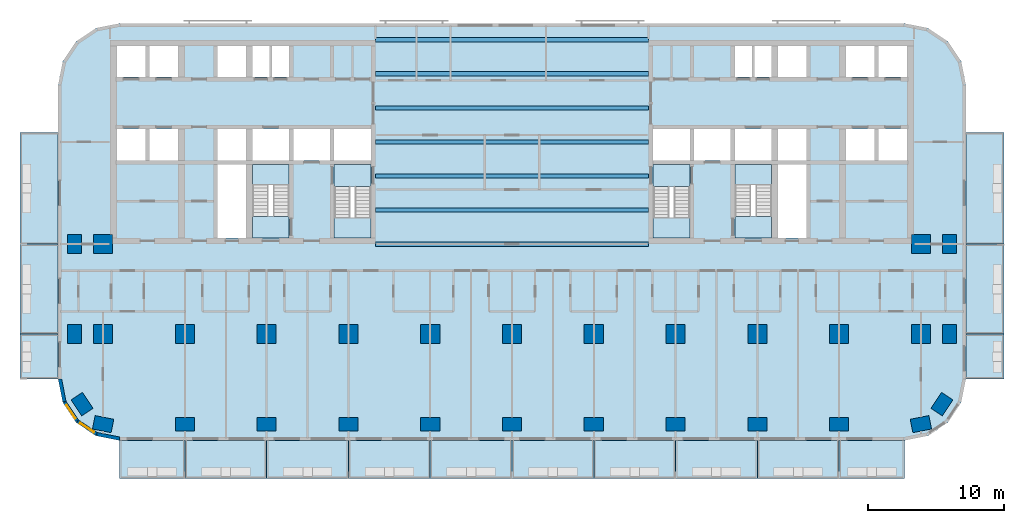
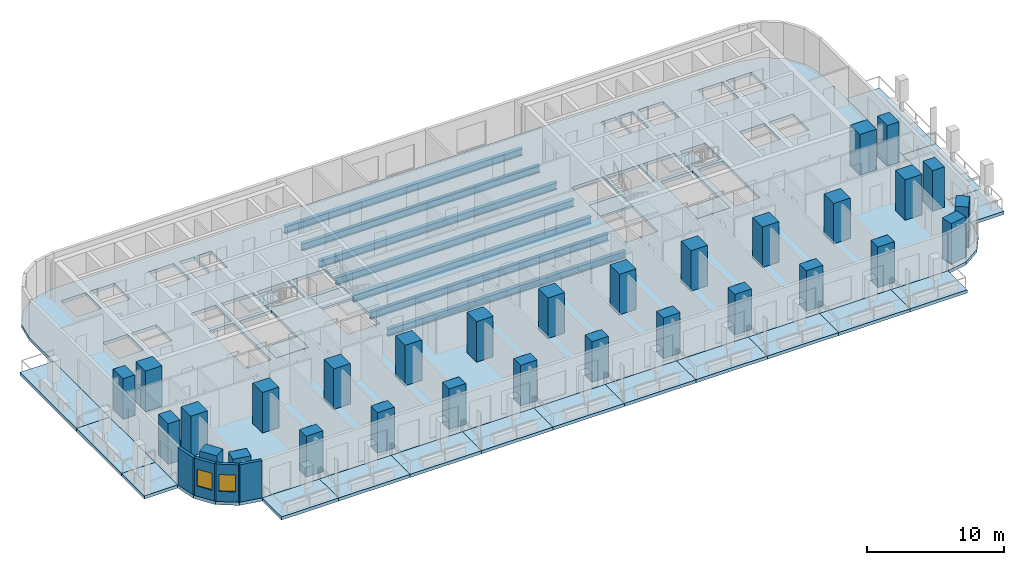
# One storey, part 1 of 15: 30 columns, 25 slabs, 7 beams, 4 walls, 2 windows, 2 openings, 4 elements without a shape of their own.
"""IFC4 building model written with IfcOpenShell, lengths in metres."""

from ifc_helpers import new_model, si_unit, direction, frame, frame_2d, origin, origin_2d, place, context, subcontext, project, spatial, polyline, rectangle, i_section, outline, extrude, material, layer, layer_set, material_profile, profile_set, type_object, element, fill, aggregate, save


model = new_model("IFC4")

# Units and contexts
model_context = context("Model", 3, precision=1e-05, world=origin(), true_north=direction((0.0, 1.0)))
body_context = subcontext(model_context, "Body", "Model", "MODEL_VIEW")
ifc_project = project(units=[si_unit("LENGTHUNIT", "METRE"), si_unit("AREAUNIT", "SQUARE_METRE"), si_unit("VOLUMEUNIT", "CUBIC_METRE"), si_unit("PLANEANGLEUNIT", "RADIAN"), si_unit("MASSUNIT", "GRAM", prefix="KILO")], contexts=[model_context])

# Site, building, storey
site_placement = place(None, origin())
site = spatial("IfcSite", under=ifc_project, at=site_placement, CompositionType="ELEMENT")
building_placement = place(site_placement, origin())
building = spatial("IfcBuilding", under=site, at=building_placement, Name="Torana Hotel and Residences", CompositionType="ELEMENT")
storey_placement = place(building_placement, frame((0.0, 0.0, 27.60009765625)))
storey = spatial("IfcBuildingStorey", under=building, at=storey_placement, Name="L05", CompositionType="ELEMENT", Elevation=27.60009765625)

# Columns
ifc_material_1 = material(Name="Concrete C70/85", Category="concrete")
ifc_material_profile_1 = material_profile(ifc_material_1, rectangle(XDim=1.39990234375, YDim=1.0, at=origin_2d()), Name="RC 1400x1000")
ifc_profile_set_1 = profile_set([ifc_material_profile_1], Name="Concrete C70/85")
column_type_1 = type_object("IfcColumnType", Name="COLUMN RC 1400x1000 C70/85", PredefinedType="COLUMN", material=ifc_profile_set_1)
for number, where, z_axis, x_axis, name in (
    (1, (-32.10009765625, -21.60009765625, 0.0), (0.0, 0.0, 1.0), (0.0, 1.0, 0.0), "Column L05"),
    (2, (-32.10009765625, -15.0, 0.0), (0.0, 0.0, 1.0), (0.0, 1.0, 0.0), "Column L05"),
    (3, (-31.5439453125, -26.73291015625, 0.0), (0.0, 0.0, 1.0), (-0.555584744817, 0.831459915646, 0.0), "Column L05"),
    (4, (-30.0, -28.199951171875, 0.0), (0.0, 0.0, 1.0), (-0.980792089743, 0.195056086032, 0.0), "Column L05"),
    (5, (-24.0, -28.199951171875, 0.0), (0.0, 0.0, 1.0), (1.0, 0.0, 0.0), "Column L05"),
    (6, (-18.0, -28.199951171875, 0.0), (0.0, 0.0, 1.0), (1.0, 0.0, 0.0), "Column L05"),
    (7, (-12.0, -28.199951171875, 0.0), (0.0, 0.0, 1.0), (1.0, 0.0, 0.0), "Column L05"),
    (8, (-6.0, -28.199951171875, 0.0), (0.0, 0.0, 1.0), (1.0, 0.0, 0.0), "Column L05"),
    (9, (0.0, -28.199951171875, 0.0), (0.0, 0.0, 1.0), (1.0, 0.0, 0.0), "Column L05"),
    (10, (6.0, -28.199951171875, 0.0), (0.0, 0.0, 1.0), (1.0, 0.0, 0.0), "Column L05"),
    (11, (12.0, -28.199951171875, 0.0), (0.0, 0.0, 1.0), (1.0, 0.0, 0.0), "Column L05"),
    (12, (18.0, -28.199951171875, 0.0), (0.0, 0.0, 1.0), (1.0, 0.0, 0.0), "Column L05"),
    (13, (24.0, -28.199951171875, 0.0), (0.0, 0.0, 1.0), (1.0, 0.0, 0.0), "Column L05"),
    (14, (30.0, -28.199951171875, 0.0), (0.0, 0.0, 1.0), (0.980792089743, 0.195056086032, 0.0), "Column L05"),
    (15, (31.5439453125, -26.73291015625, 0.0), (0.0, 0.0, 1.0), (0.555584744817, 0.831459915646, 0.0), "Column L05"),
    (16, (32.10009765625, -21.60009765625, 0.0), (0.0, 0.0, 1.0), (0.0, 1.0, 0.0), "Column L05"),
    (17, (32.10009765625, -15.0, 0.0), (0.0, 0.0, 1.0), (0.0, 1.0, 0.0), "Column L05"),
):
    element("IfcColumn", number, at=place(storey_placement, frame(where, z_axis=z_axis, x_axis=x_axis)), inside=storey, type_object=column_type_1, Name=name, PredefinedType="COLUMN", context=body_context, shape_type="SweptSolid", body=[
        extrude(rectangle(XDim=1.39990234375, YDim=1.0, at=origin_2d()), origin(), (0.0, 0.0, 1.0), 3.599853515625),
    ])
ifc_material_2 = material(Name="Concrete C70/85", Category="concrete")
ifc_material_profile_2 = material_profile(ifc_material_2, rectangle(XDim=1.39990234375, YDim=1.39990234375, at=origin_2d()), Name="RC 1400x1400")
ifc_profile_set_2 = profile_set([ifc_material_profile_2], Name="Concrete C70/85")
column_type_2 = type_object("IfcColumnType", Name="COLUMN RC 1400x1400 C70/85", PredefinedType="COLUMN", material=ifc_profile_set_2)
for number, where, z_axis, x_axis, name in (
    (18, (-30.0, -21.60009765625, 0.0), (0.0, 0.0, 1.0), (1.0, 0.0, 0.0), "Column L05"),
    (19, (-30.0, -15.0, 0.0), (0.0, 0.0, 1.0), (1.0, 0.0, 0.0), "Column L05"),
    (20, (-24.0, -21.60009765625, 0.0), (0.0, 0.0, 1.0), (1.0, 0.0, 0.0), "Column L05"),
    (21, (-18.0, -21.60009765625, 0.0), (0.0, 0.0, 1.0), (1.0, 0.0, 0.0), "Column L05"),
    (22, (-12.0, -21.60009765625, 0.0), (0.0, 0.0, 1.0), (1.0, 0.0, 0.0), "Column L05"),
    (23, (-6.0, -21.60009765625, 0.0), (0.0, 0.0, 1.0), (1.0, 0.0, 0.0), "Column L05"),
    (24, (0.0, -21.60009765625, 0.0), (0.0, 0.0, 1.0), (1.0, 0.0, 0.0), "Column L05"),
    (25, (6.0, -21.60009765625, 0.0), (0.0, 0.0, 1.0), (1.0, 0.0, 0.0), "Column L05"),
    (26, (12.0, -21.60009765625, 0.0), (0.0, 0.0, 1.0), (1.0, 0.0, 0.0), "Column L05"),
    (27, (18.0, -21.60009765625, 0.0), (0.0, 0.0, 1.0), (1.0, 0.0, 0.0), "Column L05"),
    (28, (24.0, -21.60009765625, 0.0), (0.0, 0.0, 1.0), (1.0, 0.0, 0.0), "Column L05"),
    (29, (30.0, -21.60009765625, 0.0), (0.0, 0.0, 1.0), (1.0, 0.0, 0.0), "Column L05"),
    (30, (30.0, -15.0, 0.0), (0.0, 0.0, 1.0), (1.0, 0.0, 0.0), "Column L05"),
):
    element("IfcColumn", number, at=place(storey_placement, frame(where, z_axis=z_axis, x_axis=x_axis)), inside=storey, type_object=column_type_2, Name=name, PredefinedType="COLUMN", context=body_context, shape_type="SweptSolid", body=[
        extrude(rectangle(XDim=1.39990234375, YDim=1.39990234375, at=origin_2d()), origin(), (0.0, 0.0, 1.0), 3.599853515625),
    ])

# Beams
ifc_material_3 = material(Name="Steel S355", Category="steel")
ifc_material_profile_3 = material_profile(ifc_material_3, i_section(OverallWidth=0.311279296875, OverallDepth=0.6357421875, WebThickness=0.018310546875, FlangeThickness=0.031494140625, FilletRadius=0.0166015625, at=origin_2d()), Name="610x305x238 UB")
ifc_profile_set_3 = profile_set([ifc_material_profile_3], Name="Steel S355")
beam_type = type_object("IfcBeamType", Name="STEEL GIRDER 610x305x238 UB", PredefinedType="BEAM", material=ifc_profile_set_3)
for number, where, z_axis, x_axis, name in (
    (31, (-10.0, -15.0, -0.597900390625), (1.0, 0.0, 0.0), (0.0, 1.0, 0.0), "Floor girder"),
    (32, (-10.0, -12.5, -0.597900390625), (1.0, 0.0, 0.0), (0.0, 1.0, 0.0), "Floor girder"),
    (33, (-10.0, -10.0, -0.597900390625), (1.0, 0.0, 0.0), (0.0, 1.0, 0.0), "Floor girder"),
    (34, (-10.0, -7.5, -0.597900390625), (1.0, 0.0, 0.0), (0.0, 1.0, 0.0), "Floor girder"),
    (35, (-10.0, -5.0, -0.597900390625), (1.0, 0.0, 0.0), (0.0, 1.0, 0.0), "Floor girder"),
    (36, (-10.0, -2.5, -0.597900390625), (1.0, 0.0, 0.0), (0.0, 1.0, 0.0), "Floor girder"),
    (37, (-10.0, 0.0, -0.597900390625), (1.0, 0.0, 0.0), (0.0, 1.0, 0.0), "Floor girder"),
):
    element("IfcBeam", number, at=place(storey_placement, frame(where, z_axis=z_axis, x_axis=x_axis)), inside=storey, type_object=beam_type, Name=name, PredefinedType="BEAM", context=body_context, shape_type="SweptSolid", body=[
        extrude(i_section(OverallWidth=0.311279296875, OverallDepth=0.6357421875, WebThickness=0.018310546875, FlangeThickness=0.031494140625, FilletRadius=0.0166015625, at=origin_2d()), origin(), (0.0, 0.0, 1.0), 20.0),
    ])

# Slabs
ifc_material_4 = material(Name="Concrete C40/50", Category="concrete")
ifc_layer_1 = layer(ifc_material_4, 0.280029296875)
ifc_layer_set_1 = layer_set([ifc_layer_1], Name="BAL1 BALCONY SLAB 280")
slab_type_1 = type_object("IfcSlabType", Name="BAL1 BALCONY SLAB 280", PredefinedType="USERDEFINED", material=ifc_layer_set_1)
slab_1_placement = place(storey_placement, frame((0.0, 0.0, -0.280029296875)))
element("IfcSlab", 38, at=slab_1_placement, inside=storey, type_object=slab_type_1, Name="Balcony 01", ObjectType="BALCONY", PredefinedType="USERDEFINED", context=body_context, shape_type="SweptSolid", body=[
    extrude(outline(polyline([(-28.800048828125, -32.199951171875), (-24.0, -32.199951171875), (-24.0, -29.39990234375), (-28.800048828125, -29.39990234375), (-28.800048828125, -32.199951171875)])), origin(), (0.0, 0.0, 1.0), 0.280029296875),
])
slab_2_placement = place(storey_placement, frame((0.0, 0.0, -0.280029296875)))
element("IfcSlab", 39, at=slab_2_placement, inside=storey, type_object=slab_type_1, Name="Balcony 02", ObjectType="BALCONY", PredefinedType="USERDEFINED", context=body_context, shape_type="SweptSolid", body=[
    extrude(outline(polyline([(-24.0, -32.199951171875), (-18.0, -32.199951171875), (-18.0, -29.39990234375), (-24.0, -29.39990234375), (-24.0, -32.199951171875)])), origin(), (0.0, 0.0, 1.0), 0.280029296875),
])
slab_3_placement = place(storey_placement, frame((0.0, 0.0, -0.280029296875)))
element("IfcSlab", 40, at=slab_3_placement, inside=storey, type_object=slab_type_1, Name="Balcony 03", ObjectType="BALCONY", PredefinedType="USERDEFINED", context=body_context, shape_type="SweptSolid", body=[
    extrude(outline(polyline([(-18.0, -32.199951171875), (-12.0, -32.199951171875), (-12.0, -29.39990234375), (-18.0, -29.39990234375), (-18.0, -32.199951171875)])), origin(), (0.0, 0.0, 1.0), 0.280029296875),
])
slab_4_placement = place(storey_placement, frame((0.0, 0.0, -0.280029296875)))
element("IfcSlab", 41, at=slab_4_placement, inside=storey, type_object=slab_type_1, Name="Balcony 04", ObjectType="BALCONY", PredefinedType="USERDEFINED", context=body_context, shape_type="SweptSolid", body=[
    extrude(outline(polyline([(-12.0, -32.199951171875), (-6.0, -32.199951171875), (-6.0, -29.39990234375), (-12.0, -29.39990234375), (-12.0, -32.199951171875)])), origin(), (0.0, 0.0, 1.0), 0.280029296875),
])
slab_5_placement = place(storey_placement, frame((0.0, 0.0, -0.280029296875)))
element("IfcSlab", 42, at=slab_5_placement, inside=storey, type_object=slab_type_1, Name="Balcony 05", ObjectType="BALCONY", PredefinedType="USERDEFINED", context=body_context, shape_type="SweptSolid", body=[
    extrude(outline(polyline([(-6.0, -32.199951171875), (0.0, -32.199951171875), (0.0, -29.39990234375), (-6.0, -29.39990234375), (-6.0, -32.199951171875)])), origin(), (0.0, 0.0, 1.0), 0.280029296875),
])
slab_6_placement = place(storey_placement, frame((0.0, 0.0, -0.280029296875)))
element("IfcSlab", 43, at=slab_6_placement, inside=storey, type_object=slab_type_1, Name="Balcony 06", ObjectType="BALCONY", PredefinedType="USERDEFINED", context=body_context, shape_type="SweptSolid", body=[
    extrude(outline(polyline([(0.0, -32.199951171875), (6.0, -32.199951171875), (6.0, -29.39990234375), (0.0, -29.39990234375), (0.0, -32.199951171875)])), origin(), (0.0, 0.0, 1.0), 0.280029296875),
])
slab_7_placement = place(storey_placement, frame((0.0, 0.0, -0.280029296875)))
element("IfcSlab", 44, at=slab_7_placement, inside=storey, type_object=slab_type_1, Name="Balcony 07", ObjectType="BALCONY", PredefinedType="USERDEFINED", context=body_context, shape_type="SweptSolid", body=[
    extrude(outline(polyline([(6.0, -32.199951171875), (12.0, -32.199951171875), (12.0, -29.39990234375), (6.0, -29.39990234375), (6.0, -32.199951171875)])), origin(), (0.0, 0.0, 1.0), 0.280029296875),
])
slab_8_placement = place(storey_placement, frame((0.0, 0.0, -0.280029296875)))
element("IfcSlab", 45, at=slab_8_placement, inside=storey, type_object=slab_type_1, Name="Balcony 08", ObjectType="BALCONY", PredefinedType="USERDEFINED", context=body_context, shape_type="SweptSolid", body=[
    extrude(outline(polyline([(12.0, -32.199951171875), (18.0, -32.199951171875), (18.0, -29.39990234375), (12.0, -29.39990234375), (12.0, -32.199951171875)])), origin(), (0.0, 0.0, 1.0), 0.280029296875),
])
slab_9_placement = place(storey_placement, frame((0.0, 0.0, -0.280029296875)))
element("IfcSlab", 46, at=slab_9_placement, inside=storey, type_object=slab_type_1, Name="Balcony 09", ObjectType="BALCONY", PredefinedType="USERDEFINED", context=body_context, shape_type="SweptSolid", body=[
    extrude(outline(polyline([(18.0, -32.199951171875), (24.0, -32.199951171875), (24.0, -29.39990234375), (18.0, -29.39990234375), (18.0, -32.199951171875)])), origin(), (0.0, 0.0, 1.0), 0.280029296875),
])
slab_10_placement = place(storey_placement, frame((0.0, 0.0, -0.280029296875)))
element("IfcSlab", 47, at=slab_10_placement, inside=storey, type_object=slab_type_1, Name="Balcony 10", ObjectType="BALCONY", PredefinedType="USERDEFINED", context=body_context, shape_type="SweptSolid", body=[
    extrude(outline(polyline([(24.0, -32.199951171875), (28.800048828125, -32.199951171875), (28.800048828125, -29.39990234375), (24.0, -29.39990234375), (24.0, -32.199951171875)])), origin(), (0.0, 0.0, 1.0), 0.280029296875),
])
slab_11_placement = place(storey_placement, frame((0.0, 0.0, -0.280029296875)))
element("IfcSlab", 48, at=slab_11_placement, inside=storey, type_object=slab_type_1, Name="Balcony 11", ObjectType="BALCONY", PredefinedType="USERDEFINED", context=body_context, shape_type="SweptSolid", body=[
    extrude(outline(polyline([(-36.10009765625, -24.89990234375), (-33.300048828125, -24.89990234375), (-33.300048828125, -21.60009765625), (-36.10009765625, -21.60009765625), (-36.10009765625, -24.89990234375)])), origin(), (0.0, 0.0, 1.0), 0.280029296875),
])
slab_12_placement = place(storey_placement, frame((0.0, 0.0, -0.280029296875)))
element("IfcSlab", 49, at=slab_12_placement, inside=storey, type_object=slab_type_1, Name="Balcony 12", ObjectType="BALCONY", PredefinedType="USERDEFINED", context=body_context, shape_type="SweptSolid", body=[
    extrude(outline(polyline([(-36.10009765625, -21.60009765625), (-33.300048828125, -21.60009765625), (-33.300048828125, -15.0), (-36.10009765625, -15.0), (-36.10009765625, -21.60009765625)])), origin(), (0.0, 0.0, 1.0), 0.280029296875),
])
slab_13_placement = place(storey_placement, frame((0.0, 0.0, -0.280029296875)))
element("IfcSlab", 50, at=slab_13_placement, inside=storey, type_object=slab_type_1, Name="Balcony 13", ObjectType="BALCONY", PredefinedType="USERDEFINED", context=body_context, shape_type="SweptSolid", body=[
    extrude(outline(polyline([(-36.10009765625, -15.0), (-33.300048828125, -15.0), (-33.300048828125, -6.800048828125), (-36.10009765625, -6.800048828125), (-36.10009765625, -15.0)])), origin(), (0.0, 0.0, 1.0), 0.280029296875),
])
slab_14_placement = place(storey_placement, frame((0.0, 0.0, -0.280029296875)))
element("IfcSlab", 51, at=slab_14_placement, inside=storey, type_object=slab_type_1, Name="Balcony 14", ObjectType="BALCONY", PredefinedType="USERDEFINED", context=body_context, shape_type="SweptSolid", body=[
    extrude(outline(polyline([(33.300048828125, -24.89990234375), (36.10009765625, -24.89990234375), (36.10009765625, -21.60009765625), (33.300048828125, -21.60009765625), (33.300048828125, -24.89990234375)])), origin(), (0.0, 0.0, 1.0), 0.280029296875),
])
slab_15_placement = place(storey_placement, frame((0.0, 0.0, -0.280029296875)))
element("IfcSlab", 52, at=slab_15_placement, inside=storey, type_object=slab_type_1, Name="Balcony 15", ObjectType="BALCONY", PredefinedType="USERDEFINED", context=body_context, shape_type="SweptSolid", body=[
    extrude(outline(polyline([(33.300048828125, -21.60009765625), (36.10009765625, -21.60009765625), (36.10009765625, -15.0), (33.300048828125, -15.0), (33.300048828125, -21.60009765625)])), origin(), (0.0, 0.0, 1.0), 0.280029296875),
])
slab_16_placement = place(storey_placement, frame((0.0, 0.0, -0.280029296875)))
element("IfcSlab", 53, at=slab_16_placement, inside=storey, type_object=slab_type_1, Name="Balcony 16", ObjectType="BALCONY", PredefinedType="USERDEFINED", context=body_context, shape_type="SweptSolid", body=[
    extrude(outline(polyline([(33.300048828125, -15.0), (36.10009765625, -15.0), (36.10009765625, -6.800048828125), (33.300048828125, -6.800048828125), (33.300048828125, -15.0)])), origin(), (0.0, 0.0, 1.0), 0.280029296875),
])
ifc_material_5 = material(Name="Concrete C40/50", Category="concrete")
ifc_layer_2 = layer(ifc_material_5, 0.280029296875)
ifc_layer_set_2 = layer_set([ifc_layer_2], Name="FLOOR SLAB PT 280")
slab_type_2 = type_object("IfcSlabType", Name="FLOOR SLAB PT 280", PredefinedType="FLOOR", material=ifc_layer_set_2)
slab_17_placement = place(storey_placement, frame((0.0, 0.0, -0.280029296875)))
element("IfcSlab", 54, at=slab_17_placement, inside=storey, type_object=slab_type_2, Name="Floor slab", PredefinedType="FLOOR", context=body_context, shape_type="SweptSolid", body=[
    extrude(outline(polyline([(33.300048828125, -3.300048828125), (32.95751953125, -1.577880859375), (31.98193359375, -0.117919921875), (30.522216796875, 0.857421875), (28.800048828125, 1.199951171875), (-28.800048828125, 1.199951171875), (-30.522216796875, 0.857421875), (-31.98193359375, -0.117919921875), (-32.95751953125, -1.577880859375), (-33.300048828125, -3.300048828125), (-33.300048828125, -24.89990234375), (-32.95751953125, -26.6220703125), (-31.98193359375, -28.08203125), (-30.522216796875, -29.0576171875), (-28.800048828125, -29.39990234375), (28.800048828125, -29.39990234375), (30.522216796875, -29.0576171875), (31.98193359375, -28.08203125), (32.95751953125, -26.6220703125), (33.300048828125, -24.89990234375), (33.300048828125, -3.300048828125)]), holes=[polyline([(-13.050048828125, -14.550048828125), (-10.35009765625, -14.550048828125), (-10.35009765625, -9.14990234375), (-13.050048828125, -9.14990234375), (-13.050048828125, -14.550048828125)]), polyline([(-19.050048828125, -14.550048828125), (-16.35009765625, -14.550048828125), (-16.35009765625, -9.14990234375), (-19.050048828125, -9.14990234375), (-19.050048828125, -14.550048828125)]), polyline([(-17.625, -2.75), (-16.35009765625, -2.75), (-16.35009765625, -0.449951171875), (-17.625, -0.449951171875), (-17.625, -2.75)]), polyline([(-19.050048828125, -2.75), (-17.77490234375, -2.75), (-17.77490234375, -0.449951171875), (-19.050048828125, -0.449951171875), (-19.050048828125, -2.75)]), polyline([(-26.60009765625, -2.75), (-24.5, -2.75), (-24.5, -0.449951171875), (-26.60009765625, -0.449951171875), (-26.60009765625, -2.75)]), polyline([(-29.0, -2.75), (-26.89990234375, -2.75), (-26.89990234375, -0.449951171875), (-29.0, -0.449951171875), (-29.0, -2.75)]), polyline([(-26.60009765625, -8.85009765625), (-24.5, -8.85009765625), (-24.5, -6.550048828125), (-26.60009765625, -6.550048828125), (-26.60009765625, -8.85009765625)]), polyline([(-29.0, -8.85009765625), (-26.89990234375, -8.85009765625), (-26.89990234375, -6.550048828125), (-29.0, -6.550048828125), (-29.0, -8.85009765625)]), polyline([(-21.60009765625, -2.75), (-19.5, -2.75), (-19.5, -0.449951171875), (-21.60009765625, -0.449951171875), (-21.60009765625, -2.75)]), polyline([(-21.60009765625, -8.85009765625), (-19.5, -8.85009765625), (-19.5, -6.550048828125), (-21.60009765625, -6.550048828125), (-21.60009765625, -8.85009765625)]), polyline([(-13.050048828125, -8.85009765625), (-10.35009765625, -8.85009765625), (-10.35009765625, -6.550048828125), (-13.050048828125, -6.550048828125), (-13.050048828125, -8.85009765625)]), polyline([(-16.050048828125, -8.85009765625), (-13.35009765625, -8.85009765625), (-13.35009765625, -6.550048828125), (-16.050048828125, -6.550048828125), (-16.050048828125, -8.85009765625)]), polyline([(-19.050048828125, -8.85009765625), (-16.35009765625, -8.85009765625), (-16.35009765625, -6.550048828125), (-19.050048828125, -6.550048828125), (-19.050048828125, -8.85009765625)]), polyline([(-21.60009765625, -14.550048828125), (-19.5, -14.550048828125), (-19.5, -9.14990234375), (-21.60009765625, -9.14990234375), (-21.60009765625, -14.550048828125)]), polyline([(10.35009765625, -14.550048828125), (13.050048828125, -14.550048828125), (13.050048828125, -9.14990234375), (10.35009765625, -9.14990234375), (10.35009765625, -14.550048828125)]), polyline([(16.35009765625, -14.550048828125), (19.050048828125, -14.550048828125), (19.050048828125, -9.14990234375), (16.35009765625, -9.14990234375), (16.35009765625, -14.550048828125)]), polyline([(16.35009765625, -2.75), (17.625, -2.75), (17.625, -0.449951171875), (16.35009765625, -0.449951171875), (16.35009765625, -2.75)]), polyline([(17.77490234375, -2.75), (19.050048828125, -2.75), (19.050048828125, -0.449951171875), (17.77490234375, -0.449951171875), (17.77490234375, -2.75)]), polyline([(24.5, -2.75), (26.60009765625, -2.75), (26.60009765625, -0.449951171875), (24.5, -0.449951171875), (24.5, -2.75)]), polyline([(26.89990234375, -2.75), (29.0, -2.75), (29.0, -0.449951171875), (26.89990234375, -0.449951171875), (26.89990234375, -2.75)]), polyline([(24.5, -8.85009765625), (26.60009765625, -8.85009765625), (26.60009765625, -6.550048828125), (24.5, -6.550048828125), (24.5, -8.85009765625)]), polyline([(26.89990234375, -8.85009765625), (29.0, -8.85009765625), (29.0, -6.550048828125), (26.89990234375, -6.550048828125), (26.89990234375, -8.85009765625)]), polyline([(19.5, -2.75), (21.60009765625, -2.75), (21.60009765625, -0.449951171875), (19.5, -0.449951171875), (19.5, -2.75)]), polyline([(19.5, -8.85009765625), (21.60009765625, -8.85009765625), (21.60009765625, -6.550048828125), (19.5, -6.550048828125), (19.5, -8.85009765625)]), polyline([(10.35009765625, -8.85009765625), (13.050048828125, -8.85009765625), (13.050048828125, -6.550048828125), (10.35009765625, -6.550048828125), (10.35009765625, -8.85009765625)]), polyline([(13.35009765625, -8.85009765625), (16.050048828125, -8.85009765625), (16.050048828125, -6.550048828125), (13.35009765625, -6.550048828125), (13.35009765625, -8.85009765625)]), polyline([(16.35009765625, -8.85009765625), (19.050048828125, -8.85009765625), (19.050048828125, -6.550048828125), (16.35009765625, -6.550048828125), (16.35009765625, -8.85009765625)]), polyline([(19.5, -14.550048828125), (21.60009765625, -14.550048828125), (21.60009765625, -9.14990234375), (19.5, -9.14990234375), (19.5, -14.550048828125)])]), origin(), (0.0, 0.0, 1.0), 0.280029296875),
])

# Stair, slabs
ifc_material_6 = material(Name="Concrete C40/50 precast", Category="concrete")
stair_type_1 = type_object("IfcStairType", Name="STAIR ST1 HALF TURN 1200", PredefinedType="HALF_TURN_STAIR", material=ifc_material_6)
stair_1_placement = place(storey_placement, origin())
stair_1 = element("IfcStair", 55, at=stair_1_placement, inside=storey, type_object=stair_type_1, Name="Stair ST1 L05", PredefinedType="HALF_TURN_STAIR")
ifc_material_7 = material(Name="Concrete C40/50 precast", Category="concrete")
ifc_layer_3 = layer(ifc_material_7, 0.199951171875)
ifc_layer_set_3 = layer_set([ifc_layer_3], Name="STAIR LANDING 200")
slab_type_3 = type_object("IfcSlabType", Name="STAIR LANDING 200", PredefinedType="LANDING", material=ifc_layer_set_3)
slab_18_placement = place(storey_placement, frame((0.0, 0.0, 1.599853515625)))
slab_18 = element("IfcSlab", 56, at=slab_18_placement, type_object=slab_type_3, Name="ST1 landing 1", PredefinedType="LANDING", context=body_context, shape_type="SweptSolid", body=[
    extrude(outline(polyline([(-13.050048828125, -14.550048828125), (-10.35009765625, -14.550048828125), (-10.35009765625, -13.090087890625), (-13.050048828125, -13.090087890625), (-13.050048828125, -14.550048828125)])), origin(), (0.0, 0.0, 1.0), 0.199951171875),
])
slab_19_placement = place(storey_placement, frame((0.0, 0.0, -0.2001953125)))
slab_19 = element("IfcSlab", 57, at=slab_19_placement, type_object=slab_type_3, Name="ST1 landing 2", PredefinedType="LANDING", context=body_context, shape_type="SweptSolid", body=[
    extrude(outline(polyline([(-13.050048828125, -10.75), (-10.35009765625, -10.75), (-10.35009765625, -9.14990234375), (-13.050048828125, -9.14990234375), (-13.050048828125, -10.75)])), origin(), (0.0, 0.0, 1.0), 0.2001953125),
])
aggregate(stair_1, [slab_18, slab_19])

ifc_material_8 = material(Name="Concrete C40/50 precast", Category="concrete")
stair_type_2 = type_object("IfcStairType", Name="STAIR ST2 HALF TURN 1200", PredefinedType="HALF_TURN_STAIR", material=ifc_material_8)
stair_2_placement = place(storey_placement, origin())
stair_2 = element("IfcStair", 58, at=stair_2_placement, inside=storey, type_object=stair_type_2, Name="Stair ST2 L05", PredefinedType="HALF_TURN_STAIR")
slab_20_placement = place(storey_placement, frame((0.0, 0.0, 1.599853515625)))
slab_20 = element("IfcSlab", 59, at=slab_20_placement, type_object=slab_type_3, Name="ST2 landing 1", PredefinedType="LANDING", context=body_context, shape_type="SweptSolid", body=[
    extrude(outline(polyline([(-19.050048828125, -10.610107421875), (-16.35009765625, -10.610107421875), (-16.35009765625, -9.14990234375), (-19.050048828125, -9.14990234375), (-19.050048828125, -10.610107421875)])), origin(), (0.0, 0.0, 1.0), 0.199951171875),
])
slab_21_placement = place(storey_placement, frame((0.0, 0.0, -0.2001953125)))
slab_21 = element("IfcSlab", 60, at=slab_21_placement, type_object=slab_type_3, Name="ST2 landing 2", PredefinedType="LANDING", context=body_context, shape_type="SweptSolid", body=[
    extrude(outline(polyline([(-19.050048828125, -14.550048828125), (-16.35009765625, -14.550048828125), (-16.35009765625, -12.949951171875), (-19.050048828125, -12.949951171875), (-19.050048828125, -14.550048828125)])), origin(), (0.0, 0.0, 1.0), 0.2001953125),
])
aggregate(stair_2, [slab_20, slab_21])

ifc_material_9 = material(Name="Concrete C40/50 precast", Category="concrete")
stair_type_3 = type_object("IfcStairType", Name="STAIR ST3 HALF TURN 1200", PredefinedType="HALF_TURN_STAIR", material=ifc_material_9)
stair_3_placement = place(storey_placement, origin())
stair_3 = element("IfcStair", 61, at=stair_3_placement, inside=storey, type_object=stair_type_3, Name="Stair ST3 L05", PredefinedType="HALF_TURN_STAIR")
slab_22_placement = place(storey_placement, frame((0.0, 0.0, 1.599853515625)))
slab_22 = element("IfcSlab", 62, at=slab_22_placement, type_object=slab_type_3, Name="ST3 landing 1", PredefinedType="LANDING", context=body_context, shape_type="SweptSolid", body=[
    extrude(outline(polyline([(10.35009765625, -14.550048828125), (13.050048828125, -14.550048828125), (13.050048828125, -13.090087890625), (10.35009765625, -13.090087890625), (10.35009765625, -14.550048828125)])), origin(), (0.0, 0.0, 1.0), 0.199951171875),
])
slab_23_placement = place(storey_placement, frame((0.0, 0.0, -0.2001953125)))
slab_23 = element("IfcSlab", 63, at=slab_23_placement, type_object=slab_type_3, Name="ST3 landing 2", PredefinedType="LANDING", context=body_context, shape_type="SweptSolid", body=[
    extrude(outline(polyline([(10.35009765625, -10.75), (13.050048828125, -10.75), (13.050048828125, -9.14990234375), (10.35009765625, -9.14990234375), (10.35009765625, -10.75)])), origin(), (0.0, 0.0, 1.0), 0.2001953125),
])
aggregate(stair_3, [slab_22, slab_23])

ifc_material_10 = material(Name="Concrete C40/50 precast", Category="concrete")
stair_type_4 = type_object("IfcStairType", Name="STAIR ST4 HALF TURN 1200", PredefinedType="HALF_TURN_STAIR", material=ifc_material_10)
stair_4_placement = place(storey_placement, origin())
stair_4 = element("IfcStair", 64, at=stair_4_placement, inside=storey, type_object=stair_type_4, Name="Stair ST4 L05", PredefinedType="HALF_TURN_STAIR")
slab_24_placement = place(storey_placement, frame((0.0, 0.0, 1.599853515625)))
slab_24 = element("IfcSlab", 65, at=slab_24_placement, type_object=slab_type_3, Name="ST4 landing 1", PredefinedType="LANDING", context=body_context, shape_type="SweptSolid", body=[
    extrude(outline(polyline([(16.35009765625, -10.610107421875), (19.050048828125, -10.610107421875), (19.050048828125, -9.14990234375), (16.35009765625, -9.14990234375), (16.35009765625, -10.610107421875)])), origin(), (0.0, 0.0, 1.0), 0.199951171875),
])
slab_25_placement = place(storey_placement, frame((0.0, 0.0, -0.2001953125)))
slab_25 = element("IfcSlab", 66, at=slab_25_placement, type_object=slab_type_3, Name="ST4 landing 2", PredefinedType="LANDING", context=body_context, shape_type="SweptSolid", body=[
    extrude(outline(polyline([(16.35009765625, -14.550048828125), (19.050048828125, -14.550048828125), (19.050048828125, -12.949951171875), (16.35009765625, -12.949951171875), (16.35009765625, -14.550048828125)])), origin(), (0.0, 0.0, 1.0), 0.2001953125),
])
aggregate(stair_4, [slab_24, slab_25])

# Wall
ifc_material_11 = material(Name="Black aluminium composite panel", Category="aluminium")
ifc_layer_4 = layer(ifc_material_11, 0.00390625, Name="Cladding", Category="cladding")
ifc_material_12 = material(Name="Ventilated air cavity")
ifc_layer_5 = layer(ifc_material_12, 0.0400390625, Name="Ventilated cavity", Category="cavity")
ifc_material_13 = material(Name="Mineral wool insulation")
ifc_layer_6 = layer(ifc_material_13, 0.090087890625, Name="Insulation", Category="insulation")
ifc_material_14 = material(Name="Steel S280GD", Category="steel")
ifc_layer_7 = layer(ifc_material_14, 0.092041015625, Name="Steel stud frame", Category="structure")
ifc_material_15 = material(Name="Fire rated plasterboard")
ifc_layer_8 = layer(ifc_material_15, 0.011962890625, Name="Inner board", Category="finish")
ifc_layer_9 = layer(ifc_material_15, 0.011962890625, Name="Second board", Category="finish")
ifc_layer_set_4 = layer_set([ifc_layer_4, ifc_layer_5, ifc_layer_6, ifc_layer_7, ifc_layer_8, ifc_layer_9], Name="EW1 EXTERNAL WALL BLACK METAL CLAD 250")
wall_type = type_object("IfcWallType", Name="EW1 EXTERNAL WALL BLACK METAL CLAD 250", PredefinedType="SOLIDWALL", material=ifc_layer_set_4)
wall_1_placement = place(storey_placement, frame((-33.172607421875, -24.89990234375, 0.0), z_axis=(0.0, 0.0, 1.0), x_axis=(0.195166572128, -0.980770110232, 0.0)))
element("IfcWall", 67, at=wall_1_placement, inside=storey, type_object=wall_type, Name="External wall L05 e0.10", PredefinedType="SOLIDWALL", context=body_context, shape_type="SweptSolid", body=[
    extrude(rectangle(XDim=1.68115234375, YDim=0.25, at=frame_2d((0.840576171875, 0.0))), origin(), (0.0, 0.0, 1.0), 3.31982421875),
])

# Wall, opening, window
wall_2_placement = place(storey_placement, frame((-32.825927734375, -26.593994140625, 0.0), z_axis=(0.0, 0.0, 1.0), x_axis=(0.55555029066, -0.831482937015, 0.0)))
wall_2 = element("IfcWall", 68, at=wall_2_placement, inside=storey, type_object=wall_type, Name="External wall L05 e0.11", PredefinedType="SOLIDWALL", context=body_context, shape_type="SweptSolid", body=[
    extrude(rectangle(XDim=1.65625, YDim=0.25, at=frame_2d((0.828125, 0.0))), origin(), (0.0, 0.0, 1.0), 3.31982421875),
])
opening_1_placement = place(wall_2_placement, frame((0.228271484375, 0.0, 0.89990234375)))
opening_1 = element("IfcOpeningElement", 69, at=opening_1_placement, cuts=wall_2, Name="Opening W5", PredefinedType="OPENING", context=body_context, shape_type="SweptSolid", body=[
    extrude(rectangle(XDim=1.199951171875, YDim=1.5, at=frame_2d((0.60009765625, 0.75))), frame((0.0, 0.135009765625, 0.0), z_axis=(0.0, -1.0, 0.0), x_axis=(1.0, 0.0, 0.0)), (0.0, 0.0, 1.0), 0.27001953125),
])
ifc_material_16 = material(Name="Dark glass in black aluminium frame", Category="aluminium")
window_type = type_object("IfcWindowType", Name="W5 CORNER FACET WINDOW 1200x1500", PartitioningType="SINGLE_PANEL", PredefinedType="WINDOW", material=ifc_material_16)
window_1_placement = place(opening_1_placement, origin())
window_1 = element("IfcWindow", 70, at=window_1_placement, inside=storey, type_object=window_type, Name="Window L05 e0.11", OverallHeight=1.5, OverallWidth=1.199951171875, PartitioningType="SINGLE_PANEL", PredefinedType="WINDOW", context=body_context, shape_type="SweptSolid", body=[
    extrude(rectangle(XDim=1.199951171875, YDim=1.5, at=frame_2d((0.60009765625, 0.75))), frame((0.0, 0.030029296875, 0.0), z_axis=(0.0, -1.0, 0.0), x_axis=(1.0, 0.0, 0.0)), (0.0, 0.0, 1.0), 0.06005859375),
])
fill(opening_1, window_1)

wall_3_placement = place(storey_placement, frame((-31.87109375, -28.005615234375, 0.0), z_axis=(0.0, 0.0, 1.0), x_axis=(0.831482937015, -0.55555029066, 0.0)))
wall_3 = element("IfcWall", 71, at=wall_3_placement, inside=storey, type_object=wall_type, Name="External wall L05 e0.12", PredefinedType="SOLIDWALL", context=body_context, shape_type="SweptSolid", body=[
    extrude(rectangle(XDim=1.65625, YDim=0.25, at=frame_2d((0.828125, 0.0))), origin(), (0.0, 0.0, 1.0), 3.31982421875),
])
opening_2_placement = place(wall_3_placement, frame((0.228271484375, 0.0, 0.89990234375)))
opening_2 = element("IfcOpeningElement", 72, at=opening_2_placement, cuts=wall_3, Name="Opening W5", PredefinedType="OPENING", context=body_context, shape_type="SweptSolid", body=[
    extrude(rectangle(XDim=1.199951171875, YDim=1.5, at=frame_2d((0.60009765625, 0.75))), frame((0.0, 0.135009765625, 0.0), z_axis=(0.0, -1.0, 0.0), x_axis=(1.0, 0.0, 0.0)), (0.0, 0.0, 1.0), 0.27001953125),
])
window_2_placement = place(opening_2_placement, origin())
window_2 = element("IfcWindow", 73, at=window_2_placement, inside=storey, type_object=window_type, Name="Window L05 e0.12", OverallHeight=1.5, OverallWidth=1.199951171875, PartitioningType="SINGLE_PANEL", PredefinedType="WINDOW", context=body_context, shape_type="SweptSolid", body=[
    extrude(rectangle(XDim=1.199951171875, YDim=1.5, at=frame_2d((0.60009765625, 0.75))), frame((0.0, 0.030029296875, 0.0), z_axis=(0.0, -1.0, 0.0), x_axis=(1.0, 0.0, 0.0)), (0.0, 0.0, 1.0), 0.06005859375),
])
fill(opening_2, window_2)

# Wall
wall_4_placement = place(storey_placement, frame((-30.448974609375, -28.944580078125, 0.0), z_axis=(0.0, 0.0, 1.0), x_axis=(0.980775640221, -0.19513878023, 0.0)))
element("IfcWall", 74, at=wall_4_placement, inside=storey, type_object=wall_type, Name="External wall L05 e0.13", PredefinedType="SOLIDWALL", context=body_context, shape_type="SweptSolid", body=[
    extrude(rectangle(XDim=1.681396484375, YDim=0.25, at=frame_2d((0.8408203125, 0.0))), origin(), (0.0, 0.0, 1.0), 3.31982421875),
])

save(model, "model.ifc")
